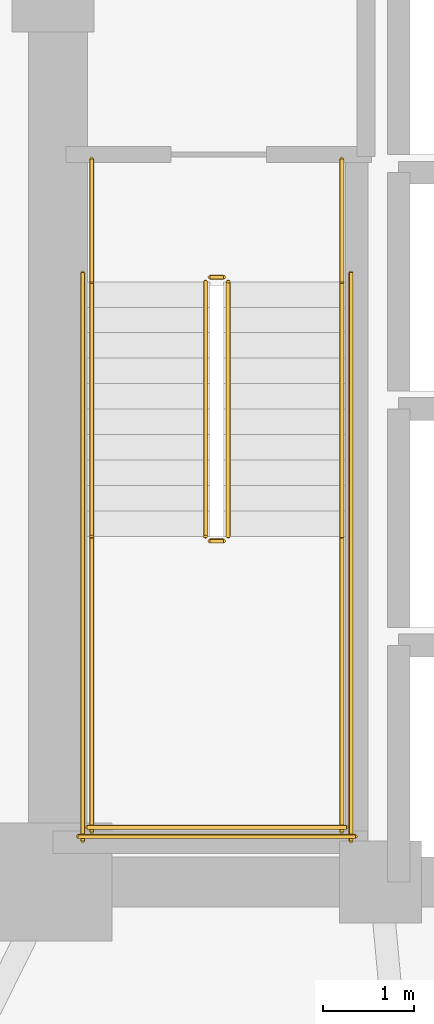
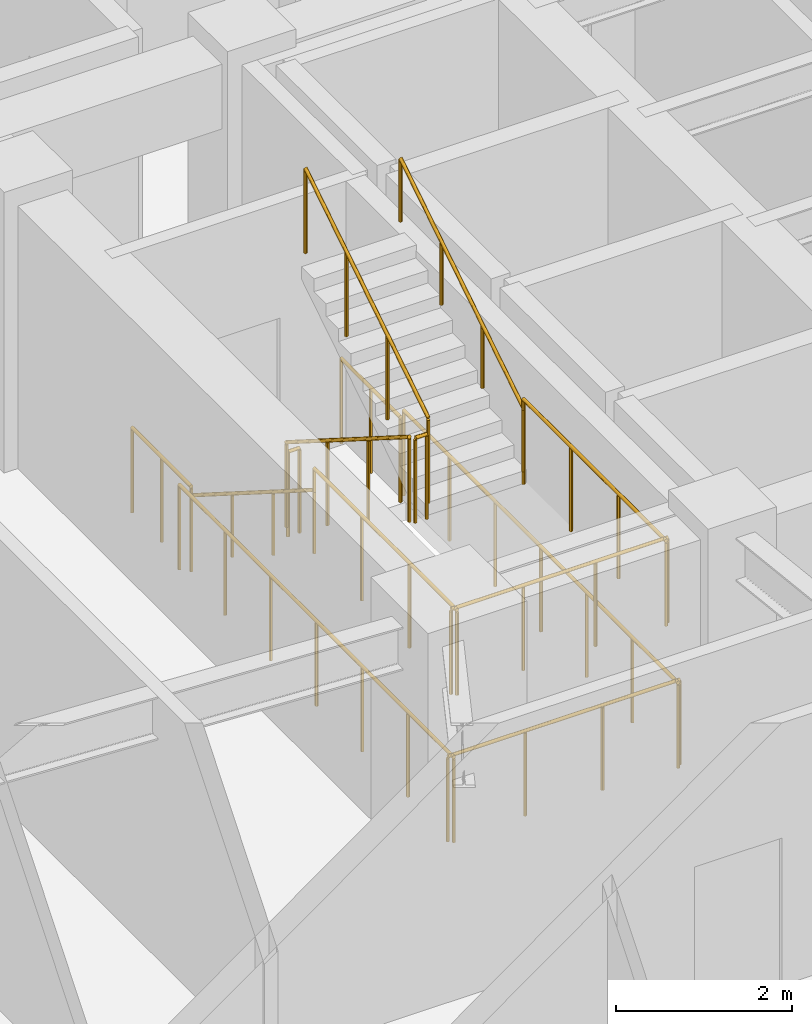
# One storey, part 12 of 13: 14 railings.
"""IFC4 building model written with IfcOpenShell, lengths in metres."""

from ifc_helpers import new_model, si_unit, direction, frame, origin, origin_2d, place, context, subcontext, project, spatial, circle, extrude, material, type_object, element, save


model = new_model("IFC4")

# Units and contexts
model_context = context("Model", 3, precision=1e-05, world=origin(), true_north=direction((0.0, 1.0)))
body_context = subcontext(model_context, "Body", "Model", "MODEL_VIEW")
ifc_project = project(units=[si_unit("LENGTHUNIT", "METRE"), si_unit("AREAUNIT", "SQUARE_METRE"), si_unit("VOLUMEUNIT", "CUBIC_METRE"), si_unit("PLANEANGLEUNIT", "RADIAN"), si_unit("MASSUNIT", "GRAM", prefix="KILO")], contexts=[model_context])

# Site, building, storey
site_placement = place(None, origin())
site = spatial("IfcSite", under=ifc_project, at=site_placement, CompositionType="ELEMENT")
building_placement = place(site_placement, origin())
building = spatial("IfcBuilding", under=site, at=building_placement, Name="Voryun Gate Residences", CompositionType="ELEMENT")
storey_placement = place(building_placement, frame((0.0, 0.0, 120.89990234375)))
storey = spatial("IfcBuildingStorey", under=building, at=storey_placement, Name="L29", CompositionType="ELEMENT", Elevation=120.89990234375)

# Railings
ifc_material_1 = material(Name="Painted steel", Category="steel")
railing_type_1 = type_object("IfcRailingType", Name="RAIL_STAIR_GUARD_1200", PredefinedType="GUARDRAIL", material=ifc_material_1)
railing_1_placement = place(storey_placement, frame((-17.52490234375, -0.800048828125, 0.177490234375)))
element("IfcRailing", 1, at=railing_1_placement, inside=storey, type_object=railing_type_1, Name="L29 ST-W1 stair guard 1", PredefinedType="GUARDRAIL", context=body_context, shape_type="SweptSolid", body=[
    extrude(circle(Radius=0.02392578125, at=origin_2d()), frame((0.0, 0.0, 1.17578125), z_axis=(0.0, -0.844908973607, 0.534910110503), x_axis=(1.0, 0.0, 0.0)), (0.0, 0.0, 1.0), 3.31396484375),
    extrude(circle(Radius=0.02099609375, at=origin_2d()), origin(), (0.0, 0.0, 1.0), 1.15185546875),
    extrude(circle(Radius=0.02099609375, at=origin_2d()), frame((0.0, -0.933349609375, 0.5908203125)), (0.0, 0.0, 1.0), 1.15185546875),
    extrude(circle(Radius=0.02099609375, at=origin_2d()), frame((0.0, -1.86669921875, 1.181884765625)), (0.0, 0.0, 1.0), 1.15185546875),
    extrude(circle(Radius=0.02099609375, at=origin_2d()), frame((0.0, -2.800048828125, 1.772705078125)), (0.0, 0.0, 1.0), 1.15185546875),
])
railing_2_placement = place(storey_placement, frame((-17.47509765625, -3.64990234375, 1.9501953125)))
element("IfcRailing", 2, at=railing_2_placement, inside=storey, type_object=railing_type_1, Name="L29 ST-W1 stair guard 2", PredefinedType="GUARDRAIL", context=body_context, shape_type="SweptSolid", body=[
    extrude(circle(Radius=0.02392578125, at=origin_2d()), frame((0.0, 0.0, 1.17578125), z_axis=(1.0, 0.0, 0.0), x_axis=(0.0, 1.0, 0.0)), (0.0, 0.0, 1.0), 0.150146484375),
    extrude(circle(Radius=0.02099609375, at=origin_2d()), origin(), (0.0, 0.0, 1.0), 1.15185546875),
    extrude(circle(Radius=0.02099609375, at=origin_2d()), frame((0.150146484375, 0.0, 0.0)), (0.0, 0.0, 1.0), 1.15185546875),
])
for number, where, name in (
    (3, (-18.77490234375, -3.60009765625, 1.9501953125), "L29 ST-W1 stair guard 3"),
    (4, (-16.02490234375, -3.60009765625, 1.9501953125), "L29 ST-W1 stair guard 4"),
):
    element("IfcRailing", number, at=place(storey_placement, frame(where)), inside=storey, type_object=railing_type_1, Name=name, PredefinedType="GUARDRAIL", context=body_context, shape_type="SweptSolid", body=[
        extrude(circle(Radius=0.02392578125, at=origin_2d()), frame((0.0, 0.0, 1.17578125), z_axis=(0.0, -1.0, 0.0), x_axis=(1.0, 0.0, 0.0)), (0.0, 0.0, 1.0), 3.25),
        extrude(circle(Radius=0.02099609375, at=origin_2d()), origin(), (0.0, 0.0, 1.0), 1.15185546875),
        extrude(circle(Radius=0.02099609375, at=origin_2d()), frame((0.0, -1.083251953125, 0.0)), (0.0, 0.0, 1.0), 1.15185546875),
        extrude(circle(Radius=0.02099609375, at=origin_2d()), frame((0.0, -2.166748046875, 0.0)), (0.0, 0.0, 1.0), 1.15185546875),
        extrude(circle(Radius=0.02099609375, at=origin_2d()), frame((0.0, -3.25, 0.0)), (0.0, 0.0, 1.0), 1.15185546875),
    ])
railing_3_placement = place(storey_placement, frame((-18.824951171875, -6.800048828125, 1.9501953125)))
element("IfcRailing", 5, at=railing_3_placement, inside=storey, type_object=railing_type_1, Name="L29 ST-W1 stair guard 5", PredefinedType="GUARDRAIL", context=body_context, shape_type="SweptSolid", body=[
    extrude(circle(Radius=0.02392578125, at=origin_2d()), frame((0.0, 0.0, 1.17578125), z_axis=(1.0, 0.0, 0.0), x_axis=(0.0, 1.0, 0.0)), (0.0, 0.0, 1.0), 2.849853515625),
    extrude(circle(Radius=0.02099609375, at=origin_2d()), origin(), (0.0, 0.0, 1.0), 1.15185546875),
    extrude(circle(Radius=0.02099609375, at=origin_2d()), frame((0.949951171875, 0.0, 0.0)), (0.0, 0.0, 1.0), 1.15185546875),
    extrude(circle(Radius=0.02099609375, at=origin_2d()), frame((1.89990234375, 0.0, 0.0)), (0.0, 0.0, 1.0), 1.15185546875),
    extrude(circle(Radius=0.02099609375, at=origin_2d()), frame((2.849853515625, 0.0, 0.0)), (0.0, 0.0, 1.0), 1.15185546875),
])
railing_4_placement = place(storey_placement, frame((-17.27490234375, -3.60009765625, 2.12744140625)))
element("IfcRailing", 6, at=railing_4_placement, inside=storey, type_object=railing_type_1, Name="L29 ST-W1 stair guard 6", PredefinedType="GUARDRAIL", context=body_context, shape_type="SweptSolid", body=[
    extrude(circle(Radius=0.02392578125, at=origin_2d()), frame((0.0, 0.0, 1.17578125), z_axis=(0.0, 0.844908973607, 0.534910110503), x_axis=(-1.0, 0.0, 0.0)), (0.0, 0.0, 1.0), 3.31396484375),
    extrude(circle(Radius=0.02099609375, at=origin_2d()), origin(), (0.0, 0.0, 1.0), 1.15185546875),
    extrude(circle(Radius=0.02099609375, at=origin_2d()), frame((0.0, 0.933349609375, 0.5908203125)), (0.0, 0.0, 1.0), 1.15185546875),
    extrude(circle(Radius=0.02099609375, at=origin_2d()), frame((0.0, 1.86669921875, 1.181884765625)), (0.0, 0.0, 1.0), 1.15185546875),
    extrude(circle(Radius=0.02099609375, at=origin_2d()), frame((0.0, 2.800048828125, 1.772705078125)), (0.0, 0.0, 1.0), 1.15185546875),
])
railing_5_placement = place(storey_placement, frame((-17.47509765625, -0.75, 0.0)))
element("IfcRailing", 7, at=railing_5_placement, inside=storey, type_object=railing_type_1, Name="L29 ST-W1 stair guard 7", PredefinedType="GUARDRAIL", context=body_context, shape_type="SweptSolid", body=[
    extrude(circle(Radius=0.02392578125, at=origin_2d()), frame((0.0, 0.0, 1.17578125), z_axis=(1.0, 0.0, 0.0), x_axis=(0.0, 1.0, 0.0)), (0.0, 0.0, 1.0), 0.150146484375),
    extrude(circle(Radius=0.02099609375, at=origin_2d()), origin(), (0.0, 0.0, 1.0), 1.15185546875),
    extrude(circle(Radius=0.02099609375, at=origin_2d()), frame((0.150146484375, 0.0, 0.0)), (0.0, 0.0, 1.0), 1.15185546875),
])
for number, where, name in (
    (8, (-18.77490234375, 0.550048828125, 0.0), "L29 ST-W1 stair guard 8"),
    (9, (-16.02490234375, 0.550048828125, 0.0), "L29 ST-W1 stair guard 9"),
):
    element("IfcRailing", number, at=place(storey_placement, frame(where)), inside=storey, type_object=railing_type_1, Name=name, PredefinedType="GUARDRAIL", context=body_context, shape_type="SweptSolid", body=[
        extrude(circle(Radius=0.02392578125, at=origin_2d()), frame((0.0, 0.0, 1.17578125), z_axis=(0.0, -1.0, 0.0), x_axis=(1.0, 0.0, 0.0)), (0.0, 0.0, 1.0), 1.35009765625),
        extrude(circle(Radius=0.02099609375, at=origin_2d()), origin(), (0.0, 0.0, 1.0), 1.15185546875),
        extrude(circle(Radius=0.02099609375, at=origin_2d()), frame((0.0, -0.675048828125, 0.0)), (0.0, 0.0, 1.0), 1.15185546875),
        extrude(circle(Radius=0.02099609375, at=origin_2d()), frame((0.0, -1.35009765625, 0.0)), (0.0, 0.0, 1.0), 1.15185546875),
    ])
for number, where, name in (
    (10, (-18.875, -0.699951171875, 0.0), "L29 ST-W1 stair guard 10"),
    (11, (-15.925048828125, -0.699951171875, 0.0), "L29 ST-W1 stair guard 11"),
):
    element("IfcRailing", number, at=place(storey_placement, frame(where)), inside=storey, type_object=railing_type_1, Name=name, PredefinedType="GUARDRAIL", context=body_context, shape_type="SweptSolid", body=[
        extrude(circle(Radius=0.02392578125, at=origin_2d()), frame((0.0, 0.0, 1.17578125), z_axis=(0.0, -1.0, 0.0), x_axis=(1.0, 0.0, 0.0)), (0.0, 0.0, 1.0), 6.25),
        extrude(circle(Radius=0.02099609375, at=origin_2d()), origin(), (0.0, 0.0, 1.0), 1.15185546875),
        extrude(circle(Radius=0.02099609375, at=origin_2d()), frame((0.0, -1.041748046875, 0.0)), (0.0, 0.0, 1.0), 1.15185546875),
        extrude(circle(Radius=0.02099609375, at=origin_2d()), frame((0.0, -2.083251953125, 0.0)), (0.0, 0.0, 1.0), 1.15185546875),
        extrude(circle(Radius=0.02099609375, at=origin_2d()), frame((0.0, -3.125, 0.0)), (0.0, 0.0, 1.0), 1.15185546875),
        extrude(circle(Radius=0.02099609375, at=origin_2d()), frame((0.0, -4.166748046875, 0.0)), (0.0, 0.0, 1.0), 1.15185546875),
        extrude(circle(Radius=0.02099609375, at=origin_2d()), frame((0.0, -5.208251953125, 0.0)), (0.0, 0.0, 1.0), 1.15185546875),
        extrude(circle(Radius=0.02099609375, at=origin_2d()), frame((0.0, -6.25, 0.0)), (0.0, 0.0, 1.0), 1.15185546875),
    ])
railing_6_placement = place(storey_placement, frame((-18.925048828125, -6.89990234375, 0.0)))
element("IfcRailing", 12, at=railing_6_placement, inside=storey, type_object=railing_type_1, Name="L29 ST-W1 stair guard 12", PredefinedType="GUARDRAIL", context=body_context, shape_type="SweptSolid", body=[
    extrude(circle(Radius=0.02392578125, at=origin_2d()), frame((0.0, 0.0, 1.17578125), z_axis=(1.0, 0.0, 0.0), x_axis=(0.0, 1.0, 0.0)), (0.0, 0.0, 1.0), 3.050048828125),
    extrude(circle(Radius=0.02099609375, at=origin_2d()), origin(), (0.0, 0.0, 1.0), 1.15185546875),
    extrude(circle(Radius=0.02099609375, at=origin_2d()), frame((1.0166015625, 0.0, 0.0)), (0.0, 0.0, 1.0), 1.15185546875),
    extrude(circle(Radius=0.02099609375, at=origin_2d()), frame((2.033447265625, 0.0, 0.0)), (0.0, 0.0, 1.0), 1.15185546875),
    extrude(circle(Radius=0.02099609375, at=origin_2d()), frame((3.050048828125, 0.0, 0.0)), (0.0, 0.0, 1.0), 1.15185546875),
])
ifc_material_2 = material(Name="Painted steel", Category="steel")
railing_type_2 = type_object("IfcRailingType", Name="RAIL_STAIR_HANDRAIL_900", PredefinedType="HANDRAIL", material=ifc_material_2)
railing_7_placement = place(storey_placement, frame((-18.77490234375, -0.800048828125, 0.177490234375)))
element("IfcRailing", 13, at=railing_7_placement, inside=storey, type_object=railing_type_2, Name="L29 ST-W1 stair handrail 1", PredefinedType="HANDRAIL", context=body_context, shape_type="SweptSolid", body=[
    extrude(circle(Radius=0.02392578125, at=origin_2d()), frame((0.0, 0.0, 0.8759765625), z_axis=(0.0, -0.844908973607, 0.534910110503), x_axis=(1.0, 0.0, 0.0)), (0.0, 0.0, 1.0), 3.31396484375),
    extrude(circle(Radius=0.02099609375, at=origin_2d()), origin(), (0.0, 0.0, 1.0), 0.851806640625),
    extrude(circle(Radius=0.02099609375, at=origin_2d()), frame((0.0, -0.933349609375, 0.5908203125)), (0.0, 0.0, 1.0), 0.851806640625),
    extrude(circle(Radius=0.02099609375, at=origin_2d()), frame((0.0, -1.86669921875, 1.181884765625)), (0.0, 0.0, 1.0), 0.851806640625),
    extrude(circle(Radius=0.02099609375, at=origin_2d()), frame((0.0, -2.800048828125, 1.772705078125)), (0.0, 0.0, 1.0), 0.851806640625),
])
railing_8_placement = place(storey_placement, frame((-16.02490234375, -3.60009765625, 2.12744140625)))
element("IfcRailing", 14, at=railing_8_placement, inside=storey, type_object=railing_type_2, Name="L29 ST-W1 stair handrail 2", PredefinedType="HANDRAIL", context=body_context, shape_type="SweptSolid", body=[
    extrude(circle(Radius=0.02392578125, at=origin_2d()), frame((0.0, 0.0, 0.8759765625), z_axis=(0.0, 0.844908973607, 0.534910110503), x_axis=(-1.0, 0.0, 0.0)), (0.0, 0.0, 1.0), 3.31396484375),
    extrude(circle(Radius=0.02099609375, at=origin_2d()), origin(), (0.0, 0.0, 1.0), 0.851806640625),
    extrude(circle(Radius=0.02099609375, at=origin_2d()), frame((0.0, 0.933349609375, 0.5908203125)), (0.0, 0.0, 1.0), 0.851806640625),
    extrude(circle(Radius=0.02099609375, at=origin_2d()), frame((0.0, 1.86669921875, 1.181884765625)), (0.0, 0.0, 1.0), 0.851806640625),
    extrude(circle(Radius=0.02099609375, at=origin_2d()), frame((0.0, 2.800048828125, 1.772705078125)), (0.0, 0.0, 1.0), 0.851806640625),
])

save(model, "model.ifc")
